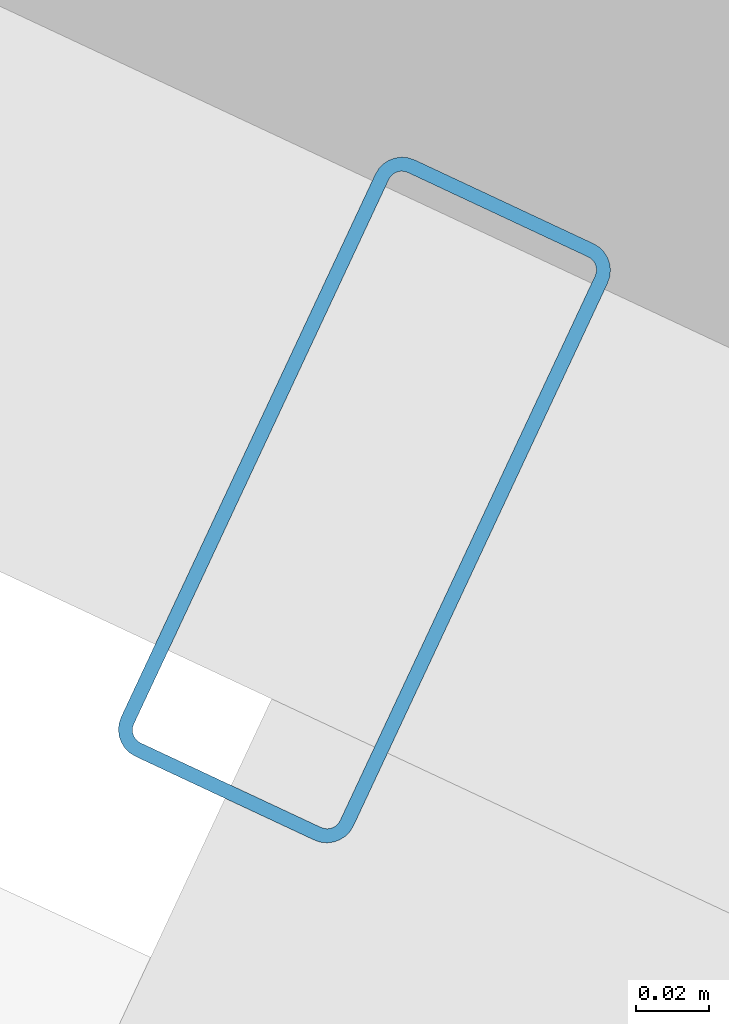
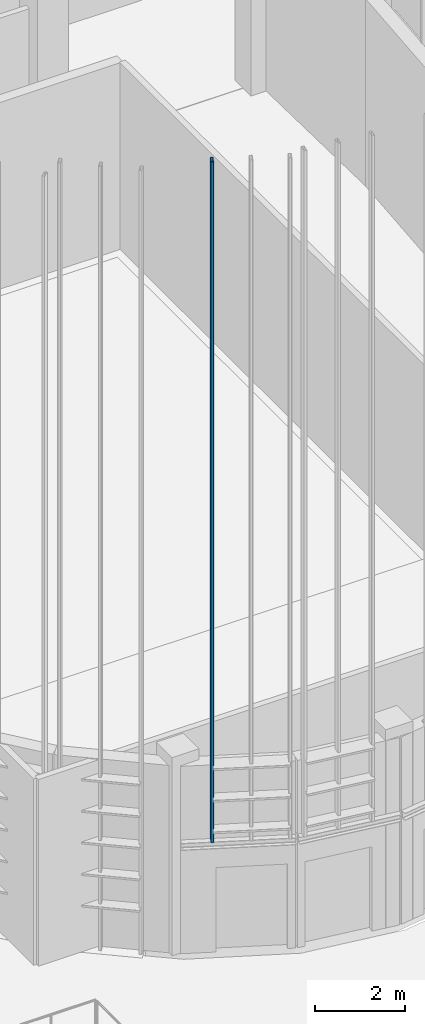
# One storey, part 138 of 372: 1 member.
"""IFC4 building model written with IfcOpenShell, lengths in metres."""

from ifc_helpers import new_model, si_unit, direction, frame, origin, origin_2d, place, context, subcontext, project, spatial, hollow_rectangle, extrude, material, material_profile, profile_set, type_object, element, save


model = new_model("IFC4")

# Units and contexts
model_context = context("Model", 3, precision=1e-05, world=origin(), true_north=direction((0.0, 1.0)))
body_context = subcontext(model_context, "Body", "Model", "MODEL_VIEW")
ifc_project = project(units=[si_unit("LENGTHUNIT", "METRE"), si_unit("AREAUNIT", "SQUARE_METRE"), si_unit("VOLUMEUNIT", "CUBIC_METRE"), si_unit("PLANEANGLEUNIT", "RADIAN"), si_unit("MASSUNIT", "GRAM", prefix="KILO")], contexts=[model_context])

# Site, building, storey
site_placement = place(None, origin())
site = spatial("IfcSite", under=ifc_project, at=site_placement, CompositionType="ELEMENT")
building_placement = place(site_placement, origin())
building = spatial("IfcBuilding", under=site, at=building_placement, Name="Kaelora Sail Theatre", CompositionType="ELEMENT")
storey_placement = place(building_placement, origin())
storey = spatial("IfcBuildingStorey", under=building, at=storey_placement, Name="L00", CompositionType="ELEMENT", Elevation=0.0)

# Member
ifc_material = material(Name="Anodised aluminium 6063-T6", Category="aluminium")
ifc_material_profile = material_profile(ifc_material, hollow_rectangle(XDim=0.070068359375, YDim=0.179931640625, WallThickness=0.00390625, InnerFilletRadius=0.00390625, OuterFilletRadius=0.008056640625, at=origin_2d()), Name="ALU-MULL 70x180x4")
ifc_profile_set = profile_set([ifc_material_profile], Name="Anodised aluminium 6063-T6")
member_type = type_object("IfcMemberType", Name="ARC-MEM-PST-160", PredefinedType="POST", material=ifc_profile_set)
member_placement = place(storey_placement, frame((86.384765625, 32.186279296875, 3.10009765625), z_axis=(0.0, 0.0, 1.0), x_axis=(-0.905642821984, 0.424041364714, 0.0)))
element("IfcMember", 1, at=member_placement, inside=storey, type_object=member_type, Name="Studio Theatre Sail Drum solar louvre vertical support post C12-3", PredefinedType="POST", context=body_context, shape_type="SweptSolid", body=[
    extrude(hollow_rectangle(XDim=0.070068359375, YDim=0.179931640625, WallThickness=0.00390625, InnerFilletRadius=0.00390625, OuterFilletRadius=0.008056640625, at=origin_2d()), origin(), (0.0, 0.0, 1.0), 18.5537109375),
])

save(model, "model.ifc")
